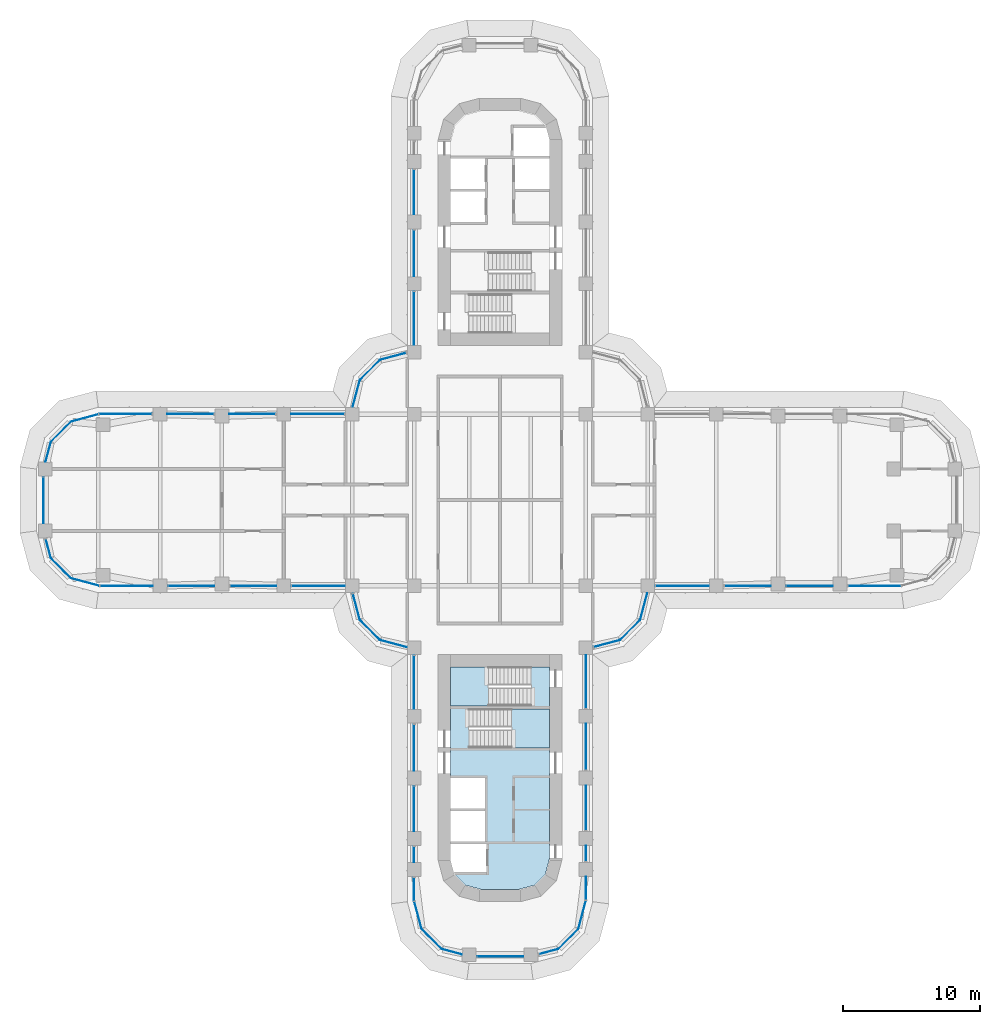
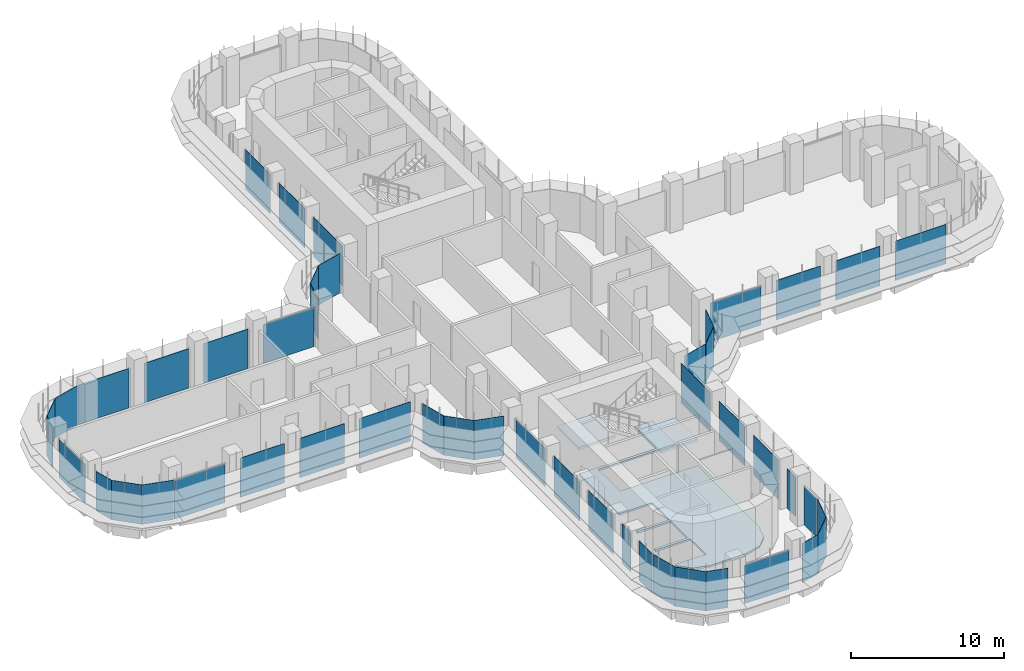
# One storey, part 13 of 23: 48 plates, 3 slabs, 31 elements without a shape of their own.
"""IFC4 building model written with IfcOpenShell, lengths in metres."""

import ifcopenshell
import ifcopenshell.guid

model = None  # the IFC model being written
_history = None  # IfcOwnerHistory: only IFC2X3 demands one
_inside = {}  # id of a spatial element -> (the spatial element, [elements in it])
_under = {}  # id of a project, library or spatial element -> (it, [spatial elements below it])
_declared = {}  # id of a project -> (the project, [libraries it declares])
_typed = {}  # id of a type object -> (the type object, [elements of that type])
_made_of = {}  # id of a material, layer set ... -> (it, [elements and type objects made of it])


def new_model(schema):
    """Start an empty IFC model of exactly this schema.

    Asked for "IFC4X3", IfcOpenShell would pick the latest addendum, in which some entities
    have other attributes; the version numbers below select the first issue.
    IFC2X3 requires an IfcOwnerHistory on every rooted entity: one is made here for all.
    """
    global model, _history
    if schema == "IFC4X3":
        model = ifcopenshell.file(schema_version=(4, 3, 0, 0))
    else:
        model = ifcopenshell.file(schema=schema)
    _inside.clear()
    _under.clear()
    _declared.clear()
    _typed.clear()
    _made_of.clear()
    _history = None
    if model.schema == "IFC2X3":
        org = make("IfcOrganization", Name="unknown")
        user = make(
            "IfcPersonAndOrganization",
            ThePerson=make("IfcPerson", FamilyName="unknown"),
            TheOrganization=org,
        )
        app = make(
            "IfcApplication",
            ApplicationDeveloper=org,
            Version="unknown",
            ApplicationFullName="unknown",
            ApplicationIdentifier="unknown",
        )
        _history = make(
            "IfcOwnerHistory",
            OwningUser=user,
            OwningApplication=app,
            ChangeAction="ADDED",
            CreationDate=0,
        )
    return model


def make(cls, **values):
    """One entity of the class cls with the attributes given. An attribute that is None is left unset."""
    return model.create_entity(
        cls, **{name: value for name, value in values.items() if value is not None}
    )


def rooted(cls, **values):
    """An entity with a GlobalId (a new one), such as an element, a storey or a relation."""
    return make(cls, GlobalId=ifcopenshell.guid.new(), OwnerHistory=_history, **values)


def si_unit(unit_type, name, prefix=None):
    """IfcSIUnit, for example si_unit("LENGTHUNIT", "METRE", prefix="MILLI")."""
    return make("IfcSIUnit", UnitType=unit_type, Prefix=prefix, Name=name)


def assignment(units):
    """IfcUnitAssignment: the units of a project."""
    return None if units is None else make("IfcUnitAssignment", Units=units)


def point(xyz):
    """IfcCartesianPoint."""
    return None if xyz is None else make("IfcCartesianPoint", Coordinates=xyz)


def direction(xyz):
    """IfcDirection."""
    return None if xyz is None else make("IfcDirection", DirectionRatios=xyz)


def frame(location, z_axis=None, x_axis=None):
    """IfcAxis2Placement3D, a coordinate frame: its origin and axes. An axis left out is left unset."""
    return make(
        "IfcAxis2Placement3D",
        Location=point(location),
        Axis=direction(z_axis),
        RefDirection=direction(x_axis),
    )


def origin():
    """The frame at (0, 0, 0) with its axes left unset."""
    return frame((0.0, 0.0, 0.0))


def place(relative_to, where):
    """IfcLocalPlacement: puts the frame where relative to a parent placement (None: the world)."""
    return make(
        "IfcLocalPlacement", PlacementRelTo=relative_to, RelativePlacement=where
    )


def context(
    kind, dimensions, precision=None, world=None, true_north=None, identifier=None
):
    """IfcGeometricRepresentationContext, for example the 3D "Model" context."""
    return make(
        "IfcGeometricRepresentationContext",
        ContextIdentifier=identifier,
        ContextType=kind,
        CoordinateSpaceDimension=dimensions,
        Precision=precision,
        WorldCoordinateSystem=world,
        TrueNorth=true_north,
    )


def subcontext(parent, identifier, kind, view, scale=None):
    """IfcGeometricRepresentationSubContext, for example "Body" below "Model"."""
    return make(
        "IfcGeometricRepresentationSubContext",
        ContextIdentifier=identifier,
        ContextType=kind,
        ParentContext=parent,
        TargetScale=scale,
        TargetView=view,
    )


def project(units=None, contexts=None):
    """IfcProject with its units and contexts."""
    return rooted(
        "IfcProject",
        Name="project",
        RepresentationContexts=contexts,
        UnitsInContext=assignment(units),
    )


def spatial(cls, under=None, at=None, **own):
    """A site, building, storey or space (cls), placed at a placement, below another one or the project."""
    s = rooted(cls, ObjectPlacement=at, **own)
    if under is not None:
        _under.setdefault(under.id(), (under, []))[1].append(s)
    return s


def polyline(points):
    """IfcPolyline through the points."""
    return make("IfcPolyline", Points=[point(p) for p in points])


def outline(outer, holes=None, kind="AREA"):
    """IfcArbitraryClosedProfileDef: a profile drawn as a closed curve; with holes, ...WithVoids."""
    if holes is None:
        return make("IfcArbitraryClosedProfileDef", ProfileType=kind, OuterCurve=outer)
    return make(
        "IfcArbitraryProfileDefWithVoids",
        ProfileType=kind,
        OuterCurve=outer,
        InnerCurves=holes,
    )


def extrude(swept, where, along, depth):
    """IfcExtrudedAreaSolid: the profile swept, set in the frame where, extruded along a direction by depth."""
    return make(
        "IfcExtrudedAreaSolid",
        SweptArea=swept,
        Position=where,
        ExtrudedDirection=direction(along),
        Depth=depth,
    )


def shape(context_of_items, identifier, shape_type, items):
    """IfcShapeRepresentation: the items that make up one representation, for example the "Body"."""
    return make(
        "IfcShapeRepresentation",
        ContextOfItems=context_of_items,
        RepresentationIdentifier=identifier,
        RepresentationType=shape_type,
        Items=items,
    )


def source(mapping_origin, context_of_items, identifier, shape_type, items):
    """IfcRepresentationMap: a shape defined once, which mapped items show again and again."""
    return make(
        "IfcRepresentationMap",
        MappingOrigin=mapping_origin,
        MappedRepresentation=shape(context_of_items, identifier, shape_type, items),
    )


def transform(
    local_origin,
    x_axis=None,
    y_axis=None,
    z_axis=None,
    scale=None,
    scale2=None,
    scale3=None,
    uniform=True,
):
    """IfcCartesianTransformationOperator3D, or its non-uniform kind. x_axis, y_axis, z_axis: its Axis1, 2, 3."""
    if uniform:
        return make(
            "IfcCartesianTransformationOperator3D",
            Axis1=direction(x_axis),
            Axis2=direction(y_axis),
            LocalOrigin=point(local_origin),
            Scale=scale,
            Axis3=direction(z_axis),
        )
    return make(
        "IfcCartesianTransformationOperator3DnonUniform",
        Axis1=direction(x_axis),
        Axis2=direction(y_axis),
        LocalOrigin=point(local_origin),
        Scale=scale,
        Axis3=direction(z_axis),
        Scale2=scale2,
        Scale3=scale3,
    )


def mapped(mapping_source, mapping_target):
    """IfcMappedItem: shows the shape of a source again, moved by a transform."""
    return make(
        "IfcMappedItem", MappingSource=mapping_source, MappingTarget=mapping_target
    )


def material(Name=None, Category=None):
    """IfcMaterial."""
    return make("IfcMaterial", Name=Name, Category=Category)


def layer(
    of_material, thickness, ventilated=None, Name=None, Category=None, Priority=None
):
    """IfcMaterialLayer: one layer of a wall or slab, of a material (None: an air gap)."""
    return make(
        "IfcMaterialLayer",
        Material=of_material,
        LayerThickness=thickness,
        IsVentilated=ventilated,
        Name=Name,
        Category=Category,
        Priority=Priority,
    )


def layer_set(layers, Name=None):
    """IfcMaterialLayerSet."""
    return make("IfcMaterialLayerSet", MaterialLayers=layers, LayerSetName=Name)


def made_of(thing, what):
    """Note that an element or type object is made of a material, layer set ...; save() writes the relation."""
    if what is not None:
        _made_of.setdefault(what.id(), (what, []))[1].append(thing)
    return thing


def type_object(cls, material=None, **own):
    """A type object (cls), such as IfcWallType, which elements share."""
    return made_of(rooted(cls, **own), material)


def element(
    cls,
    number,
    at=None,
    inside=None,
    cuts=None,
    type_object=None,
    material=None,
    context=None,
    identifier="Body",
    shape_type=None,
    held_by="IfcProductDefinitionShape",
    body=None,
    shapes=None,
    **own,
):
    """One element of the class cls, such as IfcWall. Its Tag is "e" and its number.

    at: its placement. inside: the storey or other place that contains it. cuts: it is an
    opening in that element (IfcRelVoidsElement). A single representation is given by context,
    identifier, shape_type and body (its items); several are given by shapes. held_by: the class
    of the entity that holds the representations. save() writes the other relations.
    """
    e = rooted(cls, Tag="e%d" % number, ObjectPlacement=at, **own)
    if body is not None:
        shapes = [shape(context, identifier, shape_type, body)]
    if shapes is not None:
        e.Representation = make(held_by, Representations=shapes)
    if inside is not None:
        _inside.setdefault(inside.id(), (inside, []))[1].append(e)
    if cuts is not None:
        rooted(
            "IfcRelVoidsElement", RelatingBuildingElement=cuts, RelatedOpeningElement=e
        )
    if type_object is not None:
        _typed.setdefault(type_object.id(), (type_object, []))[1].append(e)
    return made_of(e, material)


def aggregate(whole, parts):
    """IfcRelAggregates: a whole, such as a stair, and the parts it consists of."""
    return rooted("IfcRelAggregates", RelatingObject=whole, RelatedObjects=parts)


def save(model, path):
    """Write the relations noted so far, then the file.

    IfcRelAggregates (storeys below a building ...), IfcRelContainedInSpatialStructure (elements
    in a storey), IfcRelDefinesByType, IfcRelAssociatesMaterial and IfcRelDeclares: one each for
    every whole, place, type object, material and project.
    """
    for whole, parts in _under.values():
        aggregate(whole, parts)
    for where, things in _inside.values():
        rooted(
            "IfcRelContainedInSpatialStructure",
            RelatedElements=things,
            RelatingStructure=where,
        )
    for kind, things in _typed.values():
        rooted("IfcRelDefinesByType", RelatedObjects=things, RelatingType=kind)
    for what, things in _made_of.values():
        rooted("IfcRelAssociatesMaterial", RelatedObjects=things, RelatingMaterial=what)
    for by, libraries in _declared.values():
        rooted("IfcRelDeclares", RelatingContext=by, RelatedDefinitions=libraries)
    model.write(path)


model = new_model("IFC4")

# Units and contexts
model_context = context("Model", 3, precision=1e-05, world=origin(), true_north=direction((0.0, 1.0)))
body_context = subcontext(model_context, "Body", "Model", "MODEL_VIEW")
ifc_project = project(units=[si_unit("LENGTHUNIT", "METRE"), si_unit("AREAUNIT", "SQUARE_METRE"), si_unit("VOLUMEUNIT", "CUBIC_METRE"), si_unit("PLANEANGLEUNIT", "RADIAN"), si_unit("MASSUNIT", "GRAM", prefix="KILO")], contexts=[model_context])

# Site, building, storey
site_placement = place(None, origin())
site = spatial("IfcSite", under=ifc_project, at=site_placement, CompositionType="ELEMENT")
building_placement = place(site_placement, origin())
building = spatial("IfcBuilding", under=site, at=building_placement, Name="Zarbagh Exchange Tower", CompositionType="ELEMENT")
storey_placement = place(building_placement, frame((0.0, 0.0, 56.39990234375)))
storey = spatial("IfcBuildingStorey", under=building, at=storey_placement, Name="L12", CompositionType="ELEMENT", Elevation=56.39990234375)

# Slab
ifc_material_1 = material(Name="Concrete C40/50", Category="concrete")
ifc_layer_1 = layer(ifc_material_1, 0.14990234375)
ifc_layer_set_1 = layer_set([ifc_layer_1], Name="Core floor slab 150 C40/50")
slab_type_1 = type_object("IfcSlabType", Name="Core floor slab 150 C40/50", PredefinedType="FLOOR", material=ifc_layer_set_1)
slab_1_placement = place(storey_placement, frame((0.0, 0.0, -0.14990234375)))
element("IfcSlab", 1, at=slab_1_placement, inside=storey, type_object=slab_type_1, Name="S17 core S", PredefinedType="FLOOR", context=body_context, shape_type="SweptSolid", body=[
    extrude(outline(polyline([(-2.5341796875, -28.041259765625), (-3.291259765625, -27.2841796875), (-3.340576171875, -27.10009765625), (-1.0, -27.10009765625), (-1.0, -25.050048828125), (-3.60009765625, -25.050048828125), (-3.60009765625, -24.85009765625), (-1.10009765625, -24.85009765625), (-1.10009765625, -22.64990234375), (-3.60009765625, -22.64990234375), (-3.60009765625, -22.449951171875), (-1.10009765625, -22.449951171875), (-1.10009765625, -20.25), (-3.60009765625, -20.25), (-3.60009765625, -15.0), (2.25, -15.0), (2.25, -12.14990234375), (3.60009765625, -12.14990234375), (3.60009765625, -15.199951171875), (-2.25, -15.199951171875), (-2.25, -18.050048828125), (3.60009765625, -18.050048828125), (3.60009765625, -26.131591796875), (3.291259765625, -27.2841796875), (2.5341796875, -28.041259765625), (1.381591796875, -28.35009765625), (-1.381591796875, -28.35009765625), (-2.5341796875, -28.041259765625)])), origin(), (0.0, 0.0, 1.0), 0.14990234375),
])

# Stair, slab
stair_type = type_object("IfcStairType", Name="Exit stair two-flight half-turn", PredefinedType="HALF_TURN_STAIR", material=ifc_material_1)
stair_1_placement = place(storey_placement, origin())
stair_1 = element("IfcStair", 2, at=stair_1_placement, inside=storey, type_object=stair_type, Name="exit stair ST3", PredefinedType="HALF_TURN_STAIR")
ifc_layer_2 = layer(ifc_material_1, 0.199951171875)
ifc_layer_set_2 = layer_set([ifc_layer_2], Name="Stair landing 200 mm")
slab_type_2 = type_object("IfcSlabType", Name="Stair landing 200 mm", PredefinedType="LANDING", material=ifc_layer_set_2)
slab_2_placement = place(storey_placement, frame((0.0, 0.0, 1.900146484375)))
slab_2 = element("IfcSlab", 3, at=slab_2_placement, type_object=slab_type_2, Name="ST3 landing 1", PredefinedType="LANDING", context=body_context, shape_type="SweptSolid", body=[
    extrude(outline(polyline([(0.830078125, -18.050048828125), (3.60009765625, -18.050048828125), (3.60009765625, -15.199951171875), (0.830078125, -15.199951171875), (0.830078125, -18.050048828125)])), origin(), (0.0, 0.0, 1.0), 0.199951171875),
])
aggregate(stair_1, [slab_2])

stair_2_placement = place(storey_placement, origin())
stair_2 = element("IfcStair", 4, at=stair_2_placement, inside=storey, type_object=stair_type, Name="exit stair ST4", PredefinedType="HALF_TURN_STAIR")
slab_3_placement = place(storey_placement, frame((0.0, 0.0, 1.900146484375)))
slab_3 = element("IfcSlab", 5, at=slab_3_placement, type_object=slab_type_2, Name="ST4 landing 1", PredefinedType="LANDING", context=body_context, shape_type="SweptSolid", body=[
    extrude(outline(polyline([(-0.830078125, -12.14990234375), (-3.60009765625, -12.14990234375), (-3.60009765625, -15.0), (-0.830078125, -15.0), (-0.830078125, -12.14990234375)])), origin(), (0.0, 0.0, 1.0), 0.199951171875),
])
aggregate(stair_2, [slab_3])

# Curtain wall, plate
ifc_material_2 = material(Name="Anodised aluminium frame and glazing", Category="aluminium")
curtain_wall_type = type_object("IfcCurtainWallType", Name="CWA Ribbon glazing, lower zones", PredefinedType="NOTDEFINED", material=ifc_material_2)
curtain_wall_1_placement = place(storey_placement, origin())
curtain_wall_1 = element("IfcCurtainWall", 6, at=curtain_wall_1_placement, inside=storey, type_object=curtain_wall_type, Name="CWA01 curtain wall", PredefinedType="NOTDEFINED")
ifc_material_3 = material(Name="Low-e double glazed unit, 6+12+6 mm")
ifc_layer_3 = layer(ifc_material_3, 0.028076171875)
ifc_layer_set_3 = layer_set([ifc_layer_3], Name="PAA Glazing panel, Low-e double glazed unit, 6+12+6 mm")
plate_type = type_object("IfcPlateType", Name="PAA Glazing panel, Low-e double glazed unit, 6+12+6 mm", PredefinedType="CURTAIN_PANEL", material=ifc_layer_set_3)
shared_shape_1 = source(origin(), body_context, "Body", "SweptSolid", [
    extrude(outline(polyline([(0.0, -0.013916015625), (1.4423828125, -0.013916015625), (1.4423828125, 0.013916015625), (0.0, 0.013916015625), (0.0, -0.013916015625)])), origin(), (0.0, 0.0, 1.0), 3.14990234375),
])
placement = place(storey_placement, origin())
plate_1 = element("IfcPlate", 7, at=placement, type_object=plate_type, Name="CWA01 glazing panel 1.1", PredefinedType="CURTAIN_PANEL", context=body_context, shape_type="MappedRepresentation", body=[
    mapped(shared_shape_1, transform((2.847900390625, -33.072021484375, 0.0), x_axis=(0.965924289636, 0.258824779902, 0.0), y_axis=(-0.258824779902, 0.965924289636, 0.0), z_axis=(0.0, 0.0, 1.0))),
])
aggregate(curtain_wall_1, [plate_1])

curtain_wall_2_placement = place(storey_placement, origin())
curtain_wall_2 = element("IfcCurtainWall", 8, at=curtain_wall_2_placement, inside=storey, type_object=curtain_wall_type, Name="CWA37 curtain wall", PredefinedType="NOTDEFINED")
plate_2 = element("IfcPlate", 9, at=placement, type_object=plate_type, Name="CWA37 glazing panel 1.1", PredefinedType="CURTAIN_PANEL", context=body_context, shape_type="MappedRepresentation", body=[
    mapped(shared_shape_1, transform((-33.072021484375, -2.847900390625, 0.0), x_axis=(0.258824779902, -0.965924289636, 0.0), y_axis=(0.965924289636, 0.258824779902, 0.0), z_axis=(0.0, 0.0, 1.0))),
])
aggregate(curtain_wall_2, [plate_2])

curtain_wall_3_placement = place(storey_placement, origin())
curtain_wall_3 = element("IfcCurtainWall", 10, at=curtain_wall_3_placement, inside=storey, type_object=curtain_wall_type, Name="CWA02 curtain wall", PredefinedType="NOTDEFINED")
shared_shape_2 = source(origin(), body_context, "Body", "SweptSolid", [
    extrude(outline(polyline([(0.0, -0.013916015625), (2.061279296875, -0.013916015625), (2.061279296875, 0.013916015625), (0.0, 0.013916015625), (0.0, -0.013916015625)])), origin(), (0.0, 0.0, 1.0), 3.14990234375),
])
plate_3 = element("IfcPlate", 11, at=placement, type_object=plate_type, Name="CWA02 glazing panel 1.1", PredefinedType="CURTAIN_PANEL", context=body_context, shape_type="MappedRepresentation", body=[
    mapped(shared_shape_2, transform((4.2412109375, -32.69873046875, 0.0), x_axis=(0.707106781187, 0.707106781187, 0.0), y_axis=(-0.707106781187, 0.707106781187, 0.0), z_axis=(0.0, 0.0, 1.0))),
])
aggregate(curtain_wall_3, [plate_3])

curtain_wall_4_placement = place(storey_placement, origin())
curtain_wall_4 = element("IfcCurtainWall", 12, at=curtain_wall_4_placement, inside=storey, type_object=curtain_wall_type, Name="CWA06 curtain wall", PredefinedType="NOTDEFINED")
plate_4 = element("IfcPlate", 13, at=placement, type_object=plate_type, Name="CWA06 glazing panel 1.1", PredefinedType="CURTAIN_PANEL", context=body_context, shape_type="MappedRepresentation", body=[
    mapped(shared_shape_2, transform((8.7412109375, -10.19873046875, 0.0), x_axis=(0.707106781187, 0.707106781187, 0.0), y_axis=(-0.707106781187, 0.707106781187, 0.0), z_axis=(0.0, 0.0, 1.0))),
])
aggregate(curtain_wall_4, [plate_4])

curtain_wall_5_placement = place(storey_placement, origin())
curtain_wall_5 = element("IfcCurtainWall", 14, at=curtain_wall_5_placement, inside=storey, type_object=curtain_wall_type, Name="CWA30 curtain wall", PredefinedType="NOTDEFINED")
plate_5 = element("IfcPlate", 15, at=placement, type_object=plate_type, Name="CWA30 glazing panel 1.1", PredefinedType="CURTAIN_PANEL", context=body_context, shape_type="MappedRepresentation", body=[
    mapped(shared_shape_2, transform((-8.7412109375, 10.19873046875, 0.0), x_axis=(-0.707106781187, -0.707106781187, 0.0), y_axis=(0.707106781187, -0.707106781187, 0.0), z_axis=(0.0, 0.0, 1.0))),
])
aggregate(curtain_wall_5, [plate_5])

curtain_wall_6_placement = place(storey_placement, origin())
curtain_wall_6 = element("IfcCurtainWall", 16, at=curtain_wall_6_placement, inside=storey, type_object=curtain_wall_type, Name="CWA34 curtain wall", PredefinedType="NOTDEFINED")
plate_6 = element("IfcPlate", 17, at=placement, type_object=plate_type, Name="CWA34 glazing panel 1.1", PredefinedType="CURTAIN_PANEL", context=body_context, shape_type="MappedRepresentation", body=[
    mapped(shared_shape_2, transform((-31.2412109375, 5.69873046875, 0.0), x_axis=(-0.707106781187, -0.707106781187, 0.0), y_axis=(0.707106781187, -0.707106781187, 0.0), z_axis=(0.0, 0.0, 1.0))),
])
aggregate(curtain_wall_6, [plate_6])

curtain_wall_7_placement = place(storey_placement, origin())
curtain_wall_7 = element("IfcCurtainWall", 18, at=curtain_wall_7_placement, inside=storey, type_object=curtain_wall_type, Name="CWA38 curtain wall", PredefinedType="NOTDEFINED")
plate_7 = element("IfcPlate", 19, at=placement, type_object=plate_type, Name="CWA38 glazing panel 1.1", PredefinedType="CURTAIN_PANEL", context=body_context, shape_type="MappedRepresentation", body=[
    mapped(shared_shape_2, transform((-32.69873046875, -4.2412109375, 0.0), x_axis=(0.707106781187, -0.707106781187, 0.0), y_axis=(0.707106781187, 0.707106781187, 0.0), z_axis=(0.0, 0.0, 1.0))),
])
aggregate(curtain_wall_7, [plate_7])

curtain_wall_8_placement = place(storey_placement, origin())
curtain_wall_8 = element("IfcCurtainWall", 20, at=curtain_wall_8_placement, inside=storey, type_object=curtain_wall_type, Name="CWA42 curtain wall", PredefinedType="NOTDEFINED")
plate_8 = element("IfcPlate", 21, at=placement, type_object=plate_type, Name="CWA42 glazing panel 1.1", PredefinedType="CURTAIN_PANEL", context=body_context, shape_type="MappedRepresentation", body=[
    mapped(shared_shape_2, transform((-10.19873046875, -8.7412109375, 0.0), x_axis=(0.707106781187, -0.707106781187, 0.0), y_axis=(0.707106781187, 0.707106781187, 0.0), z_axis=(0.0, 0.0, 1.0))),
])
aggregate(curtain_wall_8, [plate_8])

curtain_wall_9_placement = place(storey_placement, origin())
curtain_wall_9 = element("IfcCurtainWall", 22, at=curtain_wall_9_placement, inside=storey, type_object=curtain_wall_type, Name="CWA46 curtain wall", PredefinedType="NOTDEFINED")
plate_9 = element("IfcPlate", 23, at=placement, type_object=plate_type, Name="CWA46 glazing panel 1.1", PredefinedType="CURTAIN_PANEL", context=body_context, shape_type="MappedRepresentation", body=[
    mapped(shared_shape_2, transform((-5.69873046875, -31.2412109375, 0.0), x_axis=(0.707106781187, -0.707106781187, 0.0), y_axis=(0.707106781187, 0.707106781187, 0.0), z_axis=(0.0, 0.0, 1.0))),
])
aggregate(curtain_wall_9, [plate_9])

curtain_wall_10_placement = place(storey_placement, origin())
curtain_wall_10 = element("IfcCurtainWall", 24, at=curtain_wall_10_placement, inside=storey, type_object=curtain_wall_type, Name="CWA03 curtain wall", PredefinedType="NOTDEFINED")
shared_shape_3 = source(origin(), body_context, "Body", "SweptSolid", [
    extrude(outline(polyline([(0.0, -0.013916015625), (2.129638671875, -0.013916015625), (2.129638671875, 0.013916015625), (0.0, 0.013916015625), (0.0, -0.013916015625)])), origin(), (0.0, 0.0, 1.0), 3.14990234375),
])
plate_10 = element("IfcPlate", 25, at=placement, type_object=plate_type, Name="CWA03 glazing panel 1.1", PredefinedType="CURTAIN_PANEL", context=body_context, shape_type="MappedRepresentation", body=[
    mapped(shared_shape_3, transform((5.69873046875, -31.2412109375, 0.0), x_axis=(0.258824779902, 0.965924289636, 0.0), y_axis=(-0.965924289636, 0.258824779902, 0.0), z_axis=(0.0, 0.0, 1.0))),
])
aggregate(curtain_wall_10, [plate_10])

curtain_wall_11_placement = place(storey_placement, origin())
curtain_wall_11 = element("IfcCurtainWall", 26, at=curtain_wall_11_placement, inside=storey, type_object=curtain_wall_type, Name="CWA39 curtain wall", PredefinedType="NOTDEFINED")
plate_11 = element("IfcPlate", 27, at=placement, type_object=plate_type, Name="CWA39 glazing panel 1.1", PredefinedType="CURTAIN_PANEL", context=body_context, shape_type="MappedRepresentation", body=[
    mapped(shared_shape_3, transform((-31.2412109375, -5.69873046875, 0.0), x_axis=(0.965924289636, -0.258824779902, 0.0), y_axis=(0.258824779902, 0.965924289636, 0.0), z_axis=(0.0, 0.0, 1.0))),
])
aggregate(curtain_wall_11, [plate_11])

# Curtain wall, plates
curtain_wall_12_placement = place(storey_placement, origin())
curtain_wall_12 = element("IfcCurtainWall", 28, at=curtain_wall_12_placement, inside=storey, type_object=curtain_wall_type, Name="CWA04 curtain wall", PredefinedType="NOTDEFINED")
shared_shape_4 = source(origin(), body_context, "Body", "SweptSolid", [
    extrude(outline(polyline([(0.0, -0.013916015625), (1.68408203125, -0.013916015625), (1.68408203125, 0.013916015625), (0.0, 0.013916015625), (0.0, -0.013916015625)])), origin(), (0.0, 0.0, 1.0), 3.090087890625),
])
plate_12 = element("IfcPlate", 29, at=placement, type_object=plate_type, Name="CWA04 glazing panel 1.1", PredefinedType="CURTAIN_PANEL", context=body_context, shape_type="MappedRepresentation", body=[
    mapped(shared_shape_4, transform((6.25, -29.124267578125, 0.0), x_axis=(0.0, 1.0, 0.0), y_axis=(-1.0, 0.0, 0.0), z_axis=(0.0, 0.0, 1.0))),
])
shared_shape_5 = source(origin(), body_context, "Body", "SweptSolid", [
    extrude(outline(polyline([(0.0, -0.013916015625), (1.110107421875, -0.013916015625), (1.110107421875, 0.013916015625), (0.0, 0.013916015625), (0.0, -0.013916015625)])), origin(), (0.0, 0.0, 1.0), 3.14990234375),
])
plate_13 = element("IfcPlate", 30, at=placement, type_object=plate_type, Name="CWA04 glazing panel 2.1", PredefinedType="CURTAIN_PANEL", context=body_context, shape_type="MappedRepresentation", body=[
    mapped(shared_shape_5, transform((6.25, -26.300048828125, 0.0), x_axis=(0.0, 1.0, 0.0), y_axis=(-1.0, 0.0, 0.0), z_axis=(0.0, 0.0, 1.0))),
])

# Curtain wall, plate
curtain_wall_13_placement = place(storey_placement, origin())
curtain_wall_13 = element("IfcCurtainWall", 31, at=curtain_wall_13_placement, inside=storey, type_object=curtain_wall_type, Name="CWA44 curtain wall", PredefinedType="NOTDEFINED")
plate_14 = element("IfcPlate", 32, at=placement, type_object=plate_type, Name="CWA44 glazing panel 4.1", PredefinedType="CURTAIN_PANEL", context=body_context, shape_type="MappedRepresentation", body=[
    mapped(shared_shape_5, transform((-6.25, -25.25, 0.0), x_axis=(0.0, -1.0, 0.0), y_axis=(1.0, 0.0, 0.0), z_axis=(0.0, 0.0, 1.0))),
])

# Plate
shared_shape_6 = source(origin(), body_context, "Body", "SweptSolid", [
    extrude(outline(polyline([(0.0, -0.013916015625), (3.260009765625, -0.013916015625), (3.260009765625, 0.013916015625), (0.0, 0.013916015625), (0.0, -0.013916015625)])), origin(), (0.0, 0.0, 1.0), 3.14990234375),
])
plate_15 = element("IfcPlate", 33, at=placement, type_object=plate_type, Name="CWA04 glazing panel 3.1", PredefinedType="CURTAIN_PANEL", context=body_context, shape_type="MappedRepresentation", body=[
    mapped(shared_shape_6, transform((6.25, -24.050048828125, 0.0), x_axis=(0.0, 1.0, 0.0), y_axis=(-1.0, 0.0, 0.0), z_axis=(0.0, 0.0, 1.0))),
])

# Curtain wall, plate
curtain_wall_14_placement = place(storey_placement, origin())
curtain_wall_14 = element("IfcCurtainWall", 34, at=curtain_wall_14_placement, inside=storey, type_object=curtain_wall_type, Name="CWA28 curtain wall", PredefinedType="NOTDEFINED")
plate_16 = element("IfcPlate", 35, at=placement, type_object=plate_type, Name="CWA28 glazing panel 3.1", PredefinedType="CURTAIN_PANEL", context=body_context, shape_type="MappedRepresentation", body=[
    mapped(shared_shape_6, transform((-6.25, 24.050048828125, 0.0), x_axis=(0.0, -1.0, 0.0), y_axis=(1.0, 0.0, 0.0), z_axis=(0.0, 0.0, 1.0))),
])

# Plate
plate_17 = element("IfcPlate", 36, at=placement, type_object=plate_type, Name="CWA44 glazing panel 3.1", PredefinedType="CURTAIN_PANEL", context=body_context, shape_type="MappedRepresentation", body=[
    mapped(shared_shape_6, transform((-6.25, -20.85009765625, 0.0), x_axis=(0.0, -1.0, 0.0), y_axis=(1.0, 0.0, 0.0), z_axis=(0.0, 0.0, 1.0))),
])

shared_shape_7 = source(origin(), body_context, "Body", "SweptSolid", [
    extrude(outline(polyline([(0.0, -0.013916015625), (3.360107421875, -0.013916015625), (3.360107421875, 0.013916015625), (0.0, 0.013916015625), (0.0, -0.013916015625)])), origin(), (0.0, 0.0, 1.0), 3.14990234375),
])
plate_18 = element("IfcPlate", 37, at=placement, type_object=plate_type, Name="CWA04 glazing panel 4.1", PredefinedType="CURTAIN_PANEL", context=body_context, shape_type="MappedRepresentation", body=[
    mapped(shared_shape_7, transform((6.25, -19.64990234375, 0.0), x_axis=(0.0, 1.0, 0.0), y_axis=(-1.0, 0.0, 0.0), z_axis=(0.0, 0.0, 1.0))),
])

# Curtain wall, plates
curtain_wall_15_placement = place(storey_placement, origin())
curtain_wall_15 = element("IfcCurtainWall", 38, at=curtain_wall_15_placement, inside=storey, type_object=curtain_wall_type, Name="CWA08 curtain wall", PredefinedType="NOTDEFINED")
plate_19 = element("IfcPlate", 39, at=placement, type_object=plate_type, Name="CWA08 glazing panel 2.1", PredefinedType="CURTAIN_PANEL", context=body_context, shape_type="MappedRepresentation", body=[
    mapped(shared_shape_7, transform((16.35009765625, -6.25, 0.0), x_axis=(1.0, 0.0, 0.0), y_axis=(0.0, 1.0, 0.0), z_axis=(0.0, 0.0, 1.0))),
])
plate_20 = element("IfcPlate", 40, at=placement, type_object=plate_type, Name="CWA08 glazing panel 3.1", PredefinedType="CURTAIN_PANEL", context=body_context, shape_type="MappedRepresentation", body=[
    mapped(shared_shape_7, transform((20.85009765625, -6.25, 0.0), x_axis=(1.0, 0.0, 0.0), y_axis=(0.0, 1.0, 0.0), z_axis=(0.0, 0.0, 1.0))),
])

# Plate
plate_21 = element("IfcPlate", 41, at=placement, type_object=plate_type, Name="CWA28 glazing panel 4.1", PredefinedType="CURTAIN_PANEL", context=body_context, shape_type="MappedRepresentation", body=[
    mapped(shared_shape_7, transform((-6.25, 19.64990234375, 0.0), x_axis=(0.0, -1.0, 0.0), y_axis=(1.0, 0.0, 0.0), z_axis=(0.0, 0.0, 1.0))),
])

# Curtain wall, plates
curtain_wall_16_placement = place(storey_placement, origin())
curtain_wall_16 = element("IfcCurtainWall", 42, at=curtain_wall_16_placement, inside=storey, type_object=curtain_wall_type, Name="CWA32 curtain wall", PredefinedType="NOTDEFINED")
plate_22 = element("IfcPlate", 43, at=placement, type_object=plate_type, Name="CWA32 glazing panel 2.1", PredefinedType="CURTAIN_PANEL", context=body_context, shape_type="MappedRepresentation", body=[
    mapped(shared_shape_7, transform((-16.35009765625, 6.25, 0.0), x_axis=(-1.0, 0.0, 0.0), y_axis=(0.0, -1.0, 0.0), z_axis=(0.0, 0.0, 1.0))),
])
plate_23 = element("IfcPlate", 44, at=placement, type_object=plate_type, Name="CWA32 glazing panel 3.1", PredefinedType="CURTAIN_PANEL", context=body_context, shape_type="MappedRepresentation", body=[
    mapped(shared_shape_7, transform((-20.85009765625, 6.25, 0.0), x_axis=(-1.0, 0.0, 0.0), y_axis=(0.0, -1.0, 0.0), z_axis=(0.0, 0.0, 1.0))),
])

curtain_wall_17_placement = place(storey_placement, origin())
curtain_wall_17 = element("IfcCurtainWall", 45, at=curtain_wall_17_placement, inside=storey, type_object=curtain_wall_type, Name="CWA40 curtain wall", PredefinedType="NOTDEFINED")
plate_24 = element("IfcPlate", 46, at=placement, type_object=plate_type, Name="CWA40 glazing panel 2.1", PredefinedType="CURTAIN_PANEL", context=body_context, shape_type="MappedRepresentation", body=[
    mapped(shared_shape_7, transform((-24.14990234375, -6.25, 0.0), x_axis=(1.0, 0.0, 0.0), y_axis=(0.0, 1.0, 0.0), z_axis=(0.0, 0.0, 1.0))),
])
plate_25 = element("IfcPlate", 47, at=placement, type_object=plate_type, Name="CWA40 glazing panel 3.1", PredefinedType="CURTAIN_PANEL", context=body_context, shape_type="MappedRepresentation", body=[
    mapped(shared_shape_7, transform((-19.64990234375, -6.25, 0.0), x_axis=(1.0, 0.0, 0.0), y_axis=(0.0, 1.0, 0.0), z_axis=(0.0, 0.0, 1.0))),
])

# Plate
plate_26 = element("IfcPlate", 48, at=placement, type_object=plate_type, Name="CWA44 glazing panel 2.1", PredefinedType="CURTAIN_PANEL", context=body_context, shape_type="MappedRepresentation", body=[
    mapped(shared_shape_7, transform((-6.25, -16.35009765625, 0.0), x_axis=(0.0, -1.0, 0.0), y_axis=(1.0, 0.0, 0.0), z_axis=(0.0, 0.0, 1.0))),
])

# Curtain wall, plate
curtain_wall_18_placement = place(storey_placement, origin())
curtain_wall_18 = element("IfcCurtainWall", 49, at=curtain_wall_18_placement, inside=storey, type_object=curtain_wall_type, Name="CWA05 curtain wall", PredefinedType="NOTDEFINED")
shared_shape_8 = source(origin(), body_context, "Body", "SweptSolid", [
    extrude(outline(polyline([(0.0, -0.013916015625), (1.9599609375, -0.013916015625), (1.9599609375, 0.013916015625), (0.0, 0.013916015625), (0.0, -0.013916015625)])), origin(), (0.0, 0.0, 1.0), 3.14990234375),
])
plate_27 = element("IfcPlate", 50, at=placement, type_object=plate_type, Name="CWA05 glazing panel 1.1", PredefinedType="CURTAIN_PANEL", context=body_context, shape_type="MappedRepresentation", body=[
    mapped(shared_shape_8, transform((6.847900390625, -10.7060546875, 0.0), x_axis=(0.965924289636, 0.258824779902, 0.0), y_axis=(-0.258824779902, 0.965924289636, 0.0), z_axis=(0.0, 0.0, 1.0))),
])
aggregate(curtain_wall_18, [plate_27])

curtain_wall_19_placement = place(storey_placement, origin())
curtain_wall_19 = element("IfcCurtainWall", 51, at=curtain_wall_19_placement, inside=storey, type_object=curtain_wall_type, Name="CWA29 curtain wall", PredefinedType="NOTDEFINED")
plate_28 = element("IfcPlate", 52, at=placement, type_object=plate_type, Name="CWA29 glazing panel 1.1", PredefinedType="CURTAIN_PANEL", context=body_context, shape_type="MappedRepresentation", body=[
    mapped(shared_shape_8, transform((-6.847900390625, 10.7060546875, 0.0), x_axis=(-0.965924289636, -0.258824779902, 0.0), y_axis=(0.258824779902, -0.965924289636, 0.0), z_axis=(0.0, 0.0, 1.0))),
])
aggregate(curtain_wall_19, [plate_28])

curtain_wall_20_placement = place(storey_placement, origin())
curtain_wall_20 = element("IfcCurtainWall", 53, at=curtain_wall_20_placement, inside=storey, type_object=curtain_wall_type, Name="CWA41 curtain wall", PredefinedType="NOTDEFINED")
plate_29 = element("IfcPlate", 54, at=placement, type_object=plate_type, Name="CWA41 glazing panel 1.1", PredefinedType="CURTAIN_PANEL", context=body_context, shape_type="MappedRepresentation", body=[
    mapped(shared_shape_8, transform((-10.7060546875, -6.847900390625, 0.0), x_axis=(0.258824779902, -0.965924289636, 0.0), y_axis=(0.965924289636, 0.258824779902, 0.0), z_axis=(0.0, 0.0, 1.0))),
])
aggregate(curtain_wall_20, [plate_29])

curtain_wall_21_placement = place(storey_placement, origin())
curtain_wall_21 = element("IfcCurtainWall", 55, at=curtain_wall_21_placement, inside=storey, type_object=curtain_wall_type, Name="CWA07 curtain wall", PredefinedType="NOTDEFINED")
shared_shape_9 = source(origin(), body_context, "Body", "SweptSolid", [
    extrude(outline(polyline([(0.0, -0.013916015625), (2.02001953125, -0.013916015625), (2.02001953125, 0.013916015625), (0.0, 0.013916015625), (0.0, -0.013916015625)])), origin(), (0.0, 0.0, 1.0), 3.14990234375),
])
plate_30 = element("IfcPlate", 56, at=placement, type_object=plate_type, Name="CWA07 glazing panel 1.1", PredefinedType="CURTAIN_PANEL", context=body_context, shape_type="MappedRepresentation", body=[
    mapped(shared_shape_9, transform((10.19873046875, -8.7412109375, 0.0), x_axis=(0.258824779902, 0.965924289636, 0.0), y_axis=(-0.965924289636, 0.258824779902, 0.0), z_axis=(0.0, 0.0, 1.0))),
])
aggregate(curtain_wall_21, [plate_30])

curtain_wall_22_placement = place(storey_placement, origin())
curtain_wall_22 = element("IfcCurtainWall", 57, at=curtain_wall_22_placement, inside=storey, type_object=curtain_wall_type, Name="CWA31 curtain wall", PredefinedType="NOTDEFINED")
plate_31 = element("IfcPlate", 58, at=placement, type_object=plate_type, Name="CWA31 glazing panel 1.1", PredefinedType="CURTAIN_PANEL", context=body_context, shape_type="MappedRepresentation", body=[
    mapped(shared_shape_9, transform((-10.19873046875, 8.7412109375, 0.0), x_axis=(-0.258824779902, -0.965924289636, 0.0), y_axis=(0.965924289636, -0.258824779902, 0.0), z_axis=(0.0, 0.0, 1.0))),
])
aggregate(curtain_wall_22, [plate_31])

curtain_wall_23_placement = place(storey_placement, origin())
curtain_wall_23 = element("IfcCurtainWall", 59, at=curtain_wall_23_placement, inside=storey, type_object=curtain_wall_type, Name="CWA43 curtain wall", PredefinedType="NOTDEFINED")
plate_32 = element("IfcPlate", 60, at=placement, type_object=plate_type, Name="CWA43 glazing panel 1.1", PredefinedType="CURTAIN_PANEL", context=body_context, shape_type="MappedRepresentation", body=[
    mapped(shared_shape_9, transform((-8.7412109375, -10.19873046875, 0.0), x_axis=(0.965924289636, -0.258824779902, 0.0), y_axis=(0.258824779902, 0.965924289636, 0.0), z_axis=(0.0, 0.0, 1.0))),
])
aggregate(curtain_wall_23, [plate_32])

# Plate
shared_shape_10 = source(origin(), body_context, "Body", "SweptSolid", [
    extrude(outline(polyline([(0.0, -0.013916015625), (3.860107421875, -0.013916015625), (3.860107421875, 0.013916015625), (0.0, 0.013916015625), (0.0, -0.013916015625)])), origin(), (0.0, 0.0, 1.0), 3.090087890625),
])
plate_33 = element("IfcPlate", 61, at=placement, type_object=plate_type, Name="CWA08 glazing panel 1.1", PredefinedType="CURTAIN_PANEL", context=body_context, shape_type="MappedRepresentation", body=[
    mapped(shared_shape_10, transform((11.35009765625, -6.25, 0.0), x_axis=(1.0, 0.0, 0.0), y_axis=(0.0, 1.0, 0.0), z_axis=(0.0, 0.0, 1.0))),
])

plate_34 = element("IfcPlate", 62, at=placement, type_object=plate_type, Name="CWA32 glazing panel 1.1", PredefinedType="CURTAIN_PANEL", context=body_context, shape_type="MappedRepresentation", body=[
    mapped(shared_shape_10, transform((-11.35009765625, 6.25, 0.0), x_axis=(-1.0, 0.0, 0.0), y_axis=(0.0, -1.0, 0.0), z_axis=(0.0, 0.0, 1.0))),
])

plate_35 = element("IfcPlate", 63, at=placement, type_object=plate_type, Name="CWA44 glazing panel 1.1", PredefinedType="CURTAIN_PANEL", context=body_context, shape_type="MappedRepresentation", body=[
    mapped(shared_shape_10, transform((-6.25, -11.35009765625, 0.0), x_axis=(0.0, -1.0, 0.0), y_axis=(1.0, 0.0, 0.0), z_axis=(0.0, 0.0, 1.0))),
])

shared_shape_11 = source(origin(), body_context, "Body", "SweptSolid", [
    extrude(outline(polyline([(0.0, -0.013916015625), (3.833984375, -0.013916015625), (3.833984375, 0.013916015625), (0.0, 0.013916015625), (0.0, -0.013916015625)])), origin(), (0.0, 0.0, 1.0), 3.14990234375),
])
plate_36 = element("IfcPlate", 64, at=placement, type_object=plate_type, Name="CWA08 glazing panel 4.1", PredefinedType="CURTAIN_PANEL", context=body_context, shape_type="MappedRepresentation", body=[
    mapped(shared_shape_11, transform((25.35009765625, -6.25, 0.0), x_axis=(1.0, 0.0, 0.0), y_axis=(0.0, 1.0, 0.0), z_axis=(0.0, 0.0, 1.0))),
])

aggregate(curtain_wall_15, [plate_33, plate_19, plate_20, plate_36])

plate_37 = element("IfcPlate", 65, at=placement, type_object=plate_type, Name="CWA32 glazing panel 4.1", PredefinedType="CURTAIN_PANEL", context=body_context, shape_type="MappedRepresentation", body=[
    mapped(shared_shape_11, transform((-25.35009765625, 6.25, 0.0), x_axis=(-1.0, 0.0, 0.0), y_axis=(0.0, -1.0, 0.0), z_axis=(0.0, 0.0, 1.0))),
])

aggregate(curtain_wall_16, [plate_34, plate_22, plate_23, plate_37])

# Curtain wall, plate
curtain_wall_24_placement = place(storey_placement, origin())
curtain_wall_24 = element("IfcCurtainWall", 66, at=curtain_wall_24_placement, inside=storey, type_object=curtain_wall_type, Name="CWA33 curtain wall", PredefinedType="NOTDEFINED")
shared_shape_12 = source(origin(), body_context, "Body", "SweptSolid", [
    extrude(outline(polyline([(0.0, -0.013916015625), (2.069580078125, -0.013916015625), (2.069580078125, 0.013916015625), (0.0, 0.013916015625), (0.0, -0.013916015625)])), origin(), (0.0, 0.0, 1.0), 3.14990234375),
])
plate_38 = element("IfcPlate", 67, at=placement, type_object=plate_type, Name="CWA33 glazing panel 1.1", PredefinedType="CURTAIN_PANEL", context=body_context, shape_type="MappedRepresentation", body=[
    mapped(shared_shape_12, transform((-29.2421875, 6.234375, 0.0), x_axis=(-0.965924289636, -0.258824779902, 0.0), y_axis=(0.258824779902, -0.965924289636, 0.0), z_axis=(0.0, 0.0, 1.0))),
])
aggregate(curtain_wall_24, [plate_38])

curtain_wall_25_placement = place(storey_placement, origin())
curtain_wall_25 = element("IfcCurtainWall", 68, at=curtain_wall_25_placement, inside=storey, type_object=curtain_wall_type, Name="CWA45 curtain wall", PredefinedType="NOTDEFINED")
plate_39 = element("IfcPlate", 69, at=placement, type_object=plate_type, Name="CWA45 glazing panel 1.1", PredefinedType="CURTAIN_PANEL", context=body_context, shape_type="MappedRepresentation", body=[
    mapped(shared_shape_12, transform((-6.234375, -29.2421875, 0.0), x_axis=(0.258824779902, -0.965924289636, 0.0), y_axis=(0.965924289636, 0.258824779902, 0.0), z_axis=(0.0, 0.0, 1.0))),
])
aggregate(curtain_wall_25, [plate_39])

curtain_wall_26_placement = place(storey_placement, origin())
curtain_wall_26 = element("IfcCurtainWall", 70, at=curtain_wall_26_placement, inside=storey, type_object=curtain_wall_type, Name="CWA35 curtain wall", PredefinedType="NOTDEFINED")
shared_shape_13 = source(origin(), body_context, "Body", "SweptSolid", [
    extrude(outline(polyline([(0.0, -0.013916015625), (1.50244140625, -0.013916015625), (1.50244140625, 0.013916015625), (0.0, 0.013916015625), (0.0, -0.013916015625)])), origin(), (0.0, 0.0, 1.0), 3.14990234375),
])
plate_40 = element("IfcPlate", 71, at=placement, type_object=plate_type, Name="CWA35 glazing panel 1.1", PredefinedType="CURTAIN_PANEL", context=body_context, shape_type="MappedRepresentation", body=[
    mapped(shared_shape_13, transform((-32.69873046875, 4.2412109375, 0.0), x_axis=(-0.258824779902, -0.965924289636, 0.0), y_axis=(0.965924289636, -0.258824779902, 0.0), z_axis=(0.0, 0.0, 1.0))),
])
aggregate(curtain_wall_26, [plate_40])

curtain_wall_27_placement = place(storey_placement, origin())
curtain_wall_27 = element("IfcCurtainWall", 72, at=curtain_wall_27_placement, inside=storey, type_object=curtain_wall_type, Name="CWA47 curtain wall", PredefinedType="NOTDEFINED")
plate_41 = element("IfcPlate", 73, at=placement, type_object=plate_type, Name="CWA47 glazing panel 1.1", PredefinedType="CURTAIN_PANEL", context=body_context, shape_type="MappedRepresentation", body=[
    mapped(shared_shape_13, transform((-4.2412109375, -32.69873046875, 0.0), x_axis=(0.965924289636, -0.258824779902, 0.0), y_axis=(0.258824779902, 0.965924289636, 0.0), z_axis=(0.0, 0.0, 1.0))),
])
aggregate(curtain_wall_27, [plate_41])

curtain_wall_28_placement = place(storey_placement, origin())
curtain_wall_28 = element("IfcCurtainWall", 74, at=curtain_wall_28_placement, inside=storey, type_object=curtain_wall_type, Name="CWA36 curtain wall", PredefinedType="NOTDEFINED")
shared_shape_14 = source(origin(), body_context, "Body", "SweptSolid", [
    extrude(outline(polyline([(0.0, -0.013916015625), (3.360107421875, -0.013916015625), (3.360107421875, 0.013916015625), (0.0, 0.013916015625), (0.0, -0.013916015625)])), origin(), (0.0, 0.0, 1.0), 3.090087890625),
])
plate_42 = element("IfcPlate", 75, at=placement, type_object=plate_type, Name="CWA36 glazing panel 1.1", PredefinedType="CURTAIN_PANEL", context=body_context, shape_type="MappedRepresentation", body=[
    mapped(shared_shape_14, transform((-33.25, 1.64990234375, 0.0), x_axis=(0.0, -1.0, 0.0), y_axis=(1.0, 0.0, 0.0), z_axis=(0.0, 0.0, 1.0))),
])
aggregate(curtain_wall_28, [plate_42])

curtain_wall_29_placement = place(storey_placement, origin())
curtain_wall_29 = element("IfcCurtainWall", 76, at=curtain_wall_29_placement, inside=storey, type_object=curtain_wall_type, Name="CWA48 curtain wall", PredefinedType="NOTDEFINED")
plate_43 = element("IfcPlate", 77, at=placement, type_object=plate_type, Name="CWA48 glazing panel 1.1", PredefinedType="CURTAIN_PANEL", context=body_context, shape_type="MappedRepresentation", body=[
    mapped(shared_shape_14, transform((-1.64990234375, -33.25, 0.0), x_axis=(1.0, 0.0, 0.0), y_axis=(0.0, 1.0, 0.0), z_axis=(0.0, 0.0, 1.0))),
])
aggregate(curtain_wall_29, [plate_43])

# Plate
shared_shape_15 = source(origin(), body_context, "Body", "SweptSolid", [
    extrude(outline(polyline([(0.0, -0.013916015625), (3.834228515625, -0.013916015625), (3.834228515625, 0.013916015625), (0.0, 0.013916015625), (0.0, -0.013916015625)])), origin(), (0.0, 0.0, 1.0), 3.090087890625),
])
plate_44 = element("IfcPlate", 78, at=placement, type_object=plate_type, Name="CWA40 glazing panel 1.1", PredefinedType="CURTAIN_PANEL", context=body_context, shape_type="MappedRepresentation", body=[
    mapped(shared_shape_15, transform((-29.124267578125, -6.25, 0.0), x_axis=(1.0, 0.0, 0.0), y_axis=(0.0, 1.0, 0.0), z_axis=(0.0, 0.0, 1.0))),
])

shared_shape_16 = source(origin(), body_context, "Body", "SweptSolid", [
    extrude(outline(polyline([(0.0, -0.013916015625), (3.860107421875, -0.013916015625), (3.860107421875, 0.013916015625), (0.0, 0.013916015625), (0.0, -0.013916015625)])), origin(), (0.0, 0.0, 1.0), 3.14990234375),
])
plate_45 = element("IfcPlate", 79, at=placement, type_object=plate_type, Name="CWA04 glazing panel 5.1", PredefinedType="CURTAIN_PANEL", context=body_context, shape_type="MappedRepresentation", body=[
    mapped(shared_shape_16, transform((6.25, -15.14990234375, 0.0), x_axis=(0.0, 1.0, 0.0), y_axis=(-1.0, 0.0, 0.0), z_axis=(0.0, 0.0, 1.0))),
])

aggregate(curtain_wall_12, [plate_12, plate_13, plate_15, plate_18, plate_45])

plate_46 = element("IfcPlate", 80, at=placement, type_object=plate_type, Name="CWA28 glazing panel 5.1", PredefinedType="CURTAIN_PANEL", context=body_context, shape_type="MappedRepresentation", body=[
    mapped(shared_shape_16, transform((-6.25, 15.14990234375, 0.0), x_axis=(0.0, -1.0, 0.0), y_axis=(1.0, 0.0, 0.0), z_axis=(0.0, 0.0, 1.0))),
])

aggregate(curtain_wall_14, [plate_16, plate_21, plate_46])

plate_47 = element("IfcPlate", 81, at=placement, type_object=plate_type, Name="CWA40 glazing panel 4.1", PredefinedType="CURTAIN_PANEL", context=body_context, shape_type="MappedRepresentation", body=[
    mapped(shared_shape_16, transform((-15.14990234375, -6.25, 0.0), x_axis=(1.0, 0.0, 0.0), y_axis=(0.0, 1.0, 0.0), z_axis=(0.0, 0.0, 1.0))),
])

aggregate(curtain_wall_17, [plate_44, plate_24, plate_25, plate_47])

shared_shape_17 = source(origin(), body_context, "Body", "SweptSolid", [
    extrude(outline(polyline([(0.0, -0.013916015625), (1.68408203125, -0.013916015625), (1.68408203125, 0.013916015625), (0.0, 0.013916015625), (0.0, -0.013916015625)])), origin(), (0.0, 0.0, 1.0), 3.14990234375),
])
plate_48 = element("IfcPlate", 82, at=placement, type_object=plate_type, Name="CWA44 glazing panel 5.1", PredefinedType="CURTAIN_PANEL", context=body_context, shape_type="MappedRepresentation", body=[
    mapped(shared_shape_17, transform((-6.25, -27.5, 0.0), x_axis=(0.0, -1.0, 0.0), y_axis=(1.0, 0.0, 0.0), z_axis=(0.0, 0.0, 1.0))),
])

aggregate(curtain_wall_13, [plate_35, plate_26, plate_17, plate_14, plate_48])

save(model, "model.ifc")
